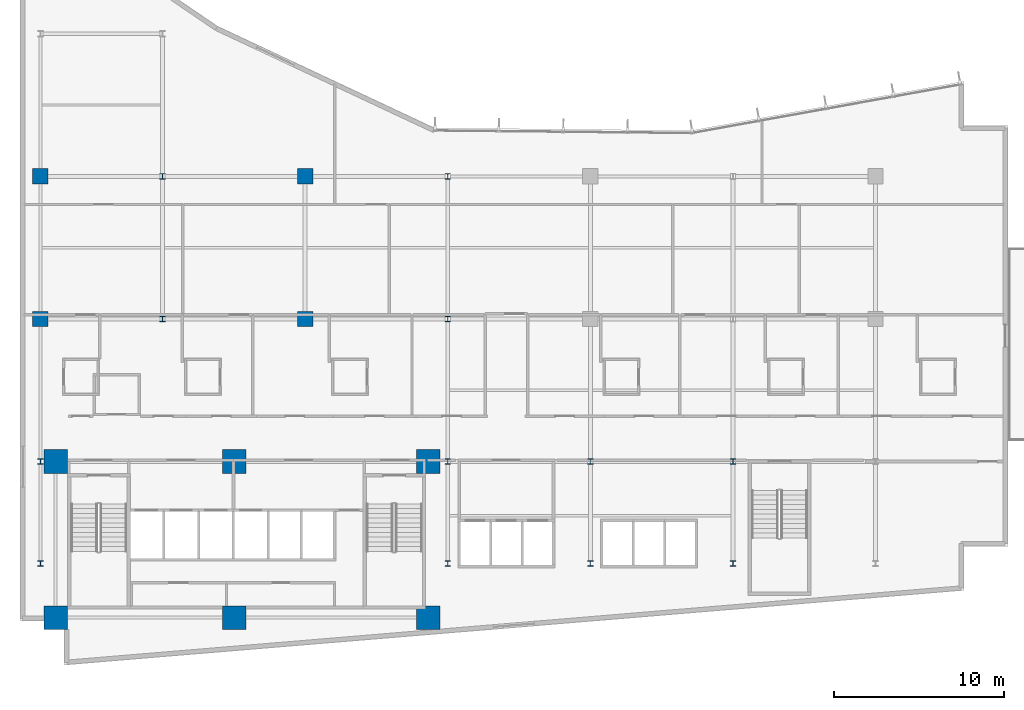
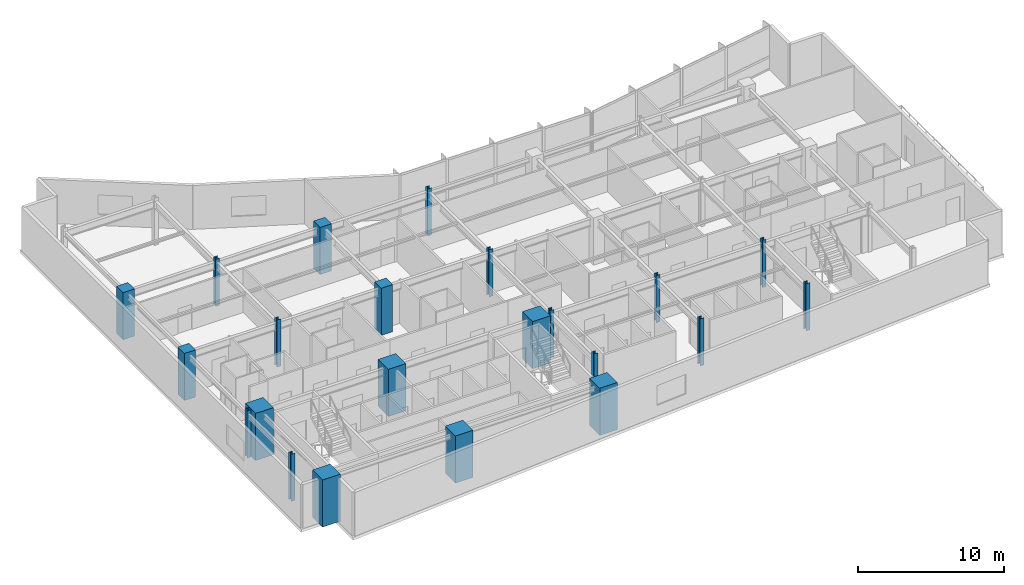
# One storey, part 1 of 19: 22 columns.
"""IFC4 building model written with IfcOpenShell, lengths in metres."""

from ifc_helpers import new_model, si_unit, direction, frame, origin, origin_2d, place, context, subcontext, project, spatial, rectangle, i_section, extrude, material, material_profile, profile_set, type_object, element, save


model = new_model("IFC4")

# Units and contexts
model_context = context("Model", 3, precision=1e-05, world=origin(), true_north=direction((0.0, 1.0)))
body_context = subcontext(model_context, "Body", "Model", "MODEL_VIEW")
ifc_project = project(units=[si_unit("LENGTHUNIT", "METRE"), si_unit("AREAUNIT", "SQUARE_METRE"), si_unit("VOLUMEUNIT", "CUBIC_METRE"), si_unit("PLANEANGLEUNIT", "RADIAN"), si_unit("MASSUNIT", "GRAM", prefix="KILO")], contexts=[model_context])

# Site, building, storey
site_placement = place(None, origin())
site = spatial("IfcSite", under=ifc_project, at=site_placement, CompositionType="ELEMENT")
building_placement = place(site_placement, origin())
building = spatial("IfcBuilding", under=site, at=building_placement, Name="Varnakote Quay Hospital", CompositionType="ELEMENT")
storey_placement = place(building_placement, frame((0.0, 0.0, 93.60009765625)))
storey = spatial("IfcBuildingStorey", under=building, at=storey_placement, Name="L23", CompositionType="ELEMENT", Elevation=93.60009765625)

# Columns
ifc_material_1 = material(Name="Concrete N80 (f'c 80 MPa)", Category="concrete")
ifc_material_profile_1 = material_profile(ifc_material_1, rectangle(XDim=1.39990234375, YDim=1.39990234375, at=origin_2d()), Name="RC-COL-1400x1400")
ifc_profile_set_1 = profile_set([ifc_material_profile_1], Name="Concrete N80 (f'c 80 MPa)")
column_type_1 = type_object("IfcColumnType", Name="COL-RC-1400", PredefinedType="COLUMN", material=ifc_profile_set_1)
for number, where, z_axis, x_axis, name in (
    (1, (2.10009765625, 2.800048828125, 0.0), (0.0, 0.0, 1.0), (1.0, 0.0, 0.0), "L23 Structural Column C-2-3"),
    (2, (12.6201171875, 2.800048828125, 0.0), (0.0, 0.0, 1.0), (1.0, 0.0, 0.0), "L23 Structural Column C-13-3"),
    (3, (24.050048828125, 2.800048828125, 0.0), (0.0, 0.0, 1.0), (1.0, 0.0, 0.0), "L23 Structural Column C-24-3"),
    (4, (2.10009765625, 12.0, 0.0), (0.0, 0.0, 1.0), (1.0, 0.0, 0.0), "L23 Structural Column C-2-12"),
    (5, (12.6201171875, 12.0, 0.0), (0.0, 0.0, 1.0), (1.0, 0.0, 0.0), "L23 Structural Column C-13-12"),
    (6, (24.050048828125, 12.0, 0.0), (0.0, 0.0, 1.0), (1.0, 0.0, 0.0), "L23 Structural Column C-24-12"),
):
    element("IfcColumn", number, at=place(storey_placement, frame(where, z_axis=z_axis, x_axis=x_axis)), inside=storey, type_object=column_type_1, Name=name, PredefinedType="COLUMN", context=body_context, shape_type="SweptSolid", body=[
        extrude(rectangle(XDim=1.39990234375, YDim=1.39990234375, at=origin_2d()), origin(), (0.0, 0.0, 1.0), 3.949951171875),
    ])
ifc_material_2 = material(Name="Concrete N50 (f'c 50 MPa)", Category="concrete")
ifc_material_profile_2 = material_profile(ifc_material_2, rectangle(XDim=0.89990234375, YDim=0.89990234375, at=origin_2d()), Name="RC-COL-900x900")
ifc_profile_set_2 = profile_set([ifc_material_profile_2], Name="Concrete N50 (f'c 50 MPa)")
column_type_2 = type_object("IfcColumnType", Name="COL-RC-900", PredefinedType="COLUMN", material=ifc_profile_set_2)
for number, where, z_axis, x_axis, name in (
    (7, (1.199951171875, 20.39990234375, 0.0), (0.0, 0.0, 1.0), (1.0, 0.0, 0.0), "L23 Structural Column C-1-20"),
    (8, (16.800048828125, 20.39990234375, 0.0), (0.0, 0.0, 1.0), (1.0, 0.0, 0.0), "L23 Structural Column C-17-20"),
    (9, (1.199951171875, 28.800048828125, 0.0), (0.0, 0.0, 1.0), (1.0, 0.0, 0.0), "L23 Structural Column C-1-29"),
    (10, (16.800048828125, 28.800048828125, 0.0), (0.0, 0.0, 1.0), (1.0, 0.0, 0.0), "L23 Structural Column C-17-29"),
):
    element("IfcColumn", number, at=place(storey_placement, frame(where, z_axis=z_axis, x_axis=x_axis)), inside=storey, type_object=column_type_2, Name=name, PredefinedType="COLUMN", context=body_context, shape_type="SweptSolid", body=[
        extrude(rectangle(XDim=0.89990234375, YDim=0.89990234375, at=origin_2d()), origin(), (0.0, 0.0, 1.0), 3.949951171875),
    ])
ifc_material_3 = material(Name="Structural steel AS/NZS 3679.1 Grade 350 L0 (fy 340 MPa)", Category="steel")
ifc_material_profile_3 = material_profile(ifc_material_3, i_section(OverallWidth=0.31103515625, OverallDepth=0.326904296875, WebThickness=0.015625, FlangeThickness=0.02490234375, FilletRadius=0.0166015625, at=origin_2d()), Name="310UC158")
ifc_profile_set_3 = profile_set([ifc_material_profile_3], Name="Structural steel AS/NZS 3679.1 Grade 350 L0 (fy 340 MPa)")
column_type_3 = type_object("IfcColumnType", Name="COL-STL-310UC158", PredefinedType="COLUMN", material=ifc_profile_set_3)
for number, where, z_axis, x_axis, name in (
    (11, (1.199951171875, 6.0, 0.0), (0.0, 0.0, 1.0), (1.0, 0.0, 0.0), "L23 Structural Column C-1-6"),
    (12, (25.199951171875, 6.0, 0.0), (0.0, 0.0, 1.0), (1.0, 0.0, 0.0), "L23 Structural Column C-25-6"),
    (13, (33.60009765625, 6.0, 0.0), (0.0, 0.0, 1.0), (1.0, 0.0, 0.0), "L23 Structural Column C-34-6"),
    (14, (42.0, 6.0, 0.0), (0.0, 0.0, 1.0), (1.0, 0.0, 0.0), "L23 Structural Column C-42-6"),
    (15, (1.199951171875, 12.0, 0.0), (0.0, 0.0, 1.0), (1.0, 0.0, 0.0), "L23 Structural Column C-1-12"),
    (16, (25.199951171875, 12.0, 0.0), (0.0, 0.0, 1.0), (1.0, 0.0, 0.0), "L23 Structural Column C-25-12"),
    (17, (33.60009765625, 12.0, 0.0), (0.0, 0.0, 1.0), (1.0, 0.0, 0.0), "L23 Structural Column C-34-12"),
    (18, (42.0, 12.0, 0.0), (0.0, 0.0, 1.0), (1.0, 0.0, 0.0), "L23 Structural Column C-42-12"),
    (19, (8.39990234375, 20.39990234375, 0.0), (0.0, 0.0, 1.0), (1.0, 0.0, 0.0), "L23 Structural Column C-8-20"),
    (20, (25.199951171875, 20.39990234375, 0.0), (0.0, 0.0, 1.0), (1.0, 0.0, 0.0), "L23 Structural Column C-25-20"),
    (21, (8.39990234375, 28.800048828125, 0.0), (0.0, 0.0, 1.0), (1.0, 0.0, 0.0), "L23 Structural Column C-8-29"),
    (22, (25.199951171875, 28.800048828125, 0.0), (0.0, 0.0, 1.0), (1.0, 0.0, 0.0), "L23 Structural Column C-25-29"),
):
    element("IfcColumn", number, at=place(storey_placement, frame(where, z_axis=z_axis, x_axis=x_axis)), inside=storey, type_object=column_type_3, Name=name, PredefinedType="COLUMN", context=body_context, shape_type="SweptSolid", body=[
        extrude(i_section(OverallWidth=0.31103515625, OverallDepth=0.326904296875, WebThickness=0.015625, FlangeThickness=0.02490234375, FilletRadius=0.0166015625, at=origin_2d()), origin(), (0.0, 0.0, 1.0), 3.949951171875),
    ])

save(model, "model.ifc")
